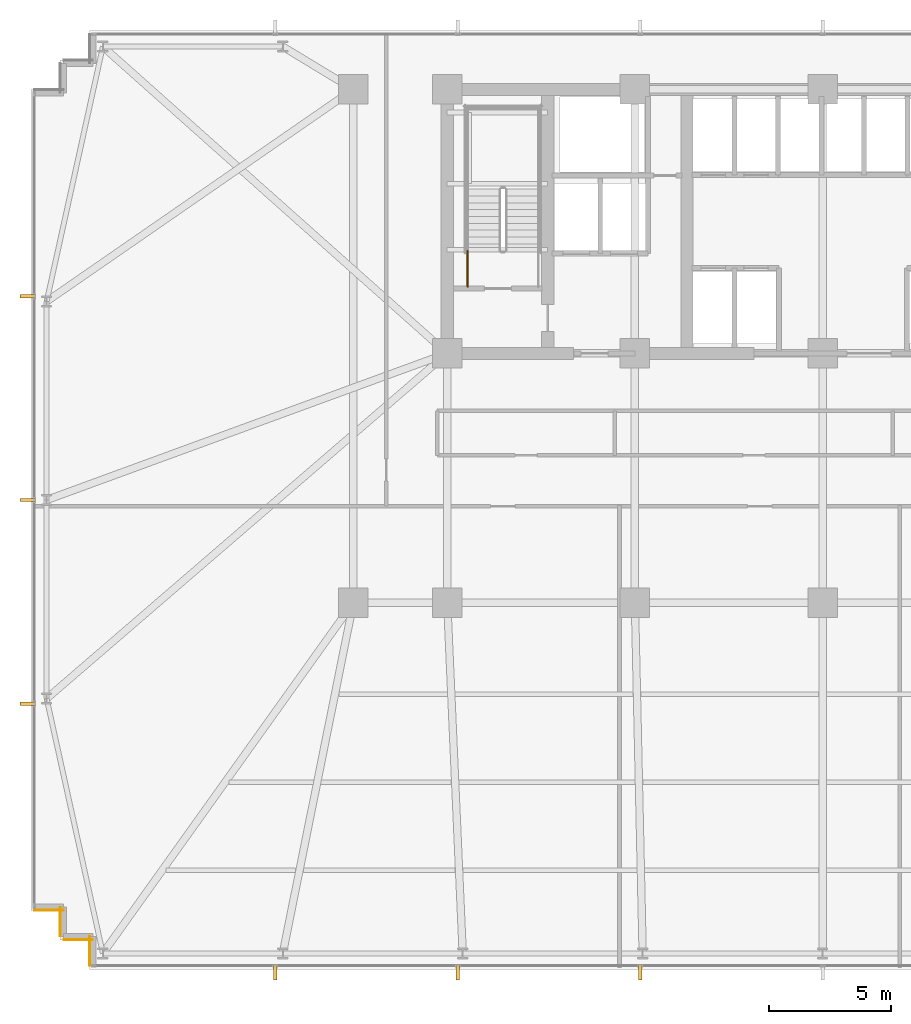
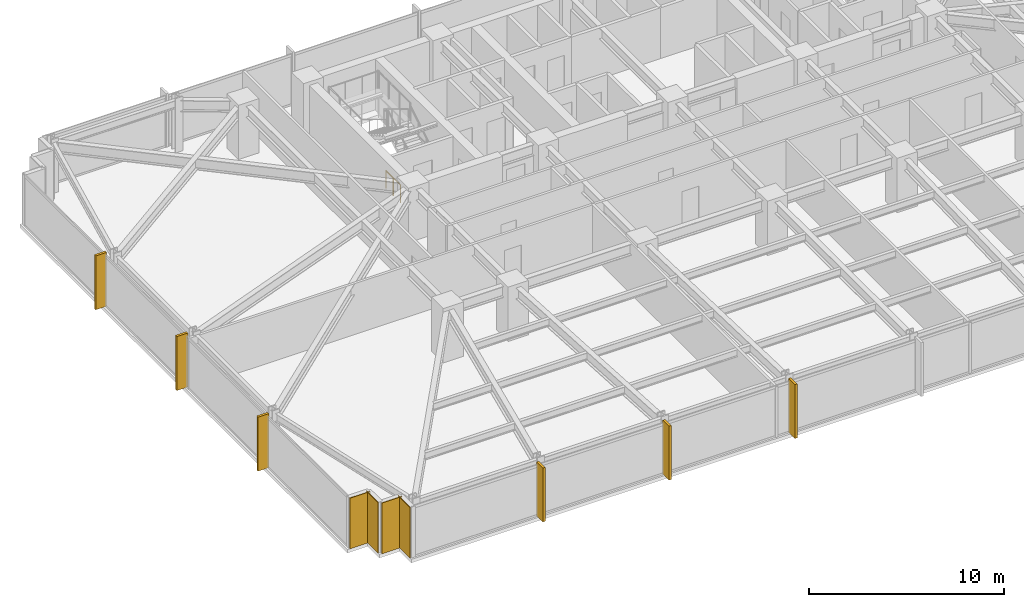
# One storey, part 27 of 32: 6 shading devices, 4 coverings, 1 railing.
"""IFC4 building model written with IfcOpenShell, lengths in metres."""

from ifc_helpers import new_model, si_unit, direction, frame, frame_2d, origin, origin_2d, place, context, subcontext, project, spatial, rectangle, circle, extrude, material, layer, layer_set, type_object, element, save


model = new_model("IFC4")

# Units and contexts
model_context = context("Model", 3, precision=1e-05, world=origin(), true_north=direction((0.0, 1.0)))
body_context = subcontext(model_context, "Body", "Model", "MODEL_VIEW")
ifc_project = project(units=[si_unit("LENGTHUNIT", "METRE"), si_unit("AREAUNIT", "SQUARE_METRE"), si_unit("VOLUMEUNIT", "CUBIC_METRE"), si_unit("PLANEANGLEUNIT", "RADIAN"), si_unit("MASSUNIT", "GRAM", prefix="KILO")], contexts=[model_context])

# Site, building, storey
site_placement = place(None, origin())
site = spatial("IfcSite", under=ifc_project, at=site_placement, CompositionType="ELEMENT")
building_placement = place(site_placement, origin())
building = spatial("IfcBuilding", under=site, at=building_placement, Name="Yelkora Congress Tower", CompositionType="ELEMENT")
storey_placement = place(building_placement, frame((0.0, 0.0, 67.800048828125)))
storey = spatial("IfcBuildingStorey", under=building, at=storey_placement, Name="L17", CompositionType="ELEMENT", Elevation=67.800048828125)

# Coverings
ifc_material_1 = material(Name="Anatolian bush-hammered limestone", Category="masonry")
ifc_layer_1 = layer(ifc_material_1, 0.0400390625)
ifc_layer_set_1 = layer_set([ifc_layer_1], Name="Anatolian bush-hammered limestone")
covering_type = type_object("IfcCoveringType", Name="COV-CLAD-SPANDREL-40", PredefinedType="CLADDING", material=ifc_layer_set_1)
for number, where, z_axis, x_axis, name in (
    (1, (8.405029296875, 10.340087890625, 0.0), (0.0, 0.0, 1.0), (0.0, 1.0, 0.0), "L17 Anatolian Limestone Cladding EW-L17-SR01"),
    (2, (8.5400390625, 11.405029296875, 0.0), (0.0, 0.0, 1.0), (-1.0, 0.0, 0.0), "L17 Anatolian Limestone Cladding EW-L17-SR02"),
    (3, (7.205078125, 11.5400390625, 0.0), (0.0, 0.0, 1.0), (0.0, 1.0, 0.0), "L17 Anatolian Limestone Cladding EW-L17-SR03"),
):
    element("IfcCovering", number, at=place(storey_placement, frame(where, z_axis=z_axis, x_axis=x_axis)), inside=storey, type_object=covering_type, Name=name, PredefinedType="CLADDING", context=body_context, shape_type="SweptSolid", body=[
        extrude(rectangle(XDim=1.199951171875, YDim=0.0400390625, at=frame_2d((0.60009765625, 0.0))), origin(), (0.0, 0.0, 1.0), 3.179931640625),
    ])
covering_placement = place(storey_placement, frame((7.340087890625, 12.60498046875, 0.0), z_axis=(0.0, 0.0, 1.0), x_axis=(-1.0, 0.0, 0.0)))
element("IfcCovering", 4, at=covering_placement, inside=storey, type_object=covering_type, Name="L17 Anatolian Limestone Cladding EW-L17-SR04", PredefinedType="CLADDING", context=body_context, shape_type="SweptSolid", body=[
    extrude(rectangle(XDim=1.2001953125, YDim=0.0400390625, at=frame_2d((0.60009765625, 0.0))), origin(), (0.0, 0.0, 1.0), 3.179931640625),
])

# Railing
ifc_material_2 = material(Name="Painted galvanised steel stair well guard with vertical infill", Category="steel")
ifc_layer_2 = layer(ifc_material_2, 0.06005859375)
ifc_layer_set_2 = layer_set([ifc_layer_2], Name="Painted galvanised steel stair well guard with vertical infill")
railing_type = type_object("IfcRailingType", Name="RAIL-STAIR-GUARD-1120", PredefinedType="GUARDRAIL", material=ifc_layer_set_2)
railing_placement = place(storey_placement, frame((23.8701171875, 38.1201171875, 0.0)))
element("IfcRailing", 5, at=railing_placement, inside=storey, type_object=railing_type, Name="ST-01 L17 Stair Well Guardrail 9", PredefinedType="GUARDRAIL", context=body_context, shape_type="SweptSolid", body=[
    extrude(circle(Radius=0.02392578125, at=origin_2d()), frame((0.0, 0.0, 1.09619140625), z_axis=(0.0, 1.0, 0.0), x_axis=(-1.0, 0.0, 0.0)), (0.0, 0.0, 1.0), 1.47998046875),
    extrude(circle(Radius=0.02099609375, at=origin_2d()), origin(), (0.0, 0.0, 1.0), 1.072021484375),
    extrude(circle(Radius=0.02099609375, at=origin_2d()), frame((0.0, 0.739990234375, 0.0)), (0.0, 0.0, 1.0), 1.072021484375),
    extrude(circle(Radius=0.02099609375, at=origin_2d()), frame((0.0, 1.47998046875, 0.0)), (0.0, 0.0, 1.0), 1.072021484375),
])

# Shading devices
ifc_material_3 = material(Name="Champagne anodised aluminium", Category="aluminium")
ifc_layer_3 = layer(ifc_material_3, 3.39990234375)
ifc_layer_set_3 = layer_set([ifc_layer_3], Name="Champagne anodised aluminium")
shading_device_type = type_object("IfcShadingDeviceType", Name="SHD-FIN-ALU-640", PredefinedType="USERDEFINED", material=ifc_layer_set_3)
for number, where, z_axis, x_axis, name in (
    (6, (5.8798828125, 21.070068359375, -0.030029296875), (0.0, 0.0, 1.0), (0.0, 1.0, 0.0), "L17 Vertical Anodised Solar Fin 5-1"),
    (7, (5.8798828125, 29.39990234375, -0.030029296875), (0.0, 0.0, 1.0), (0.0, 1.0, 0.0), "L17 Vertical Anodised Solar Fin 5-2"),
    (8, (5.8798828125, 37.72998046875, -0.030029296875), (0.0, 0.0, 1.0), (0.0, 1.0, 0.0), "L17 Vertical Anodised Solar Fin 5-3"),
    (9, (30.93505859375, 10.080078125, -0.030029296875), (0.0, 0.0, 1.0), (-1.0, 0.0, 0.0), "L17 Vertical Anodised Solar Fin 20-5"),
    (10, (23.469970703125, 10.080078125, -0.030029296875), (0.0, 0.0, 1.0), (-1.0, 0.0, 0.0), "L17 Vertical Anodised Solar Fin 20-6"),
    (11, (16.0048828125, 10.080078125, -0.030029296875), (0.0, 0.0, 1.0), (-1.0, 0.0, 0.0), "L17 Vertical Anodised Solar Fin 20-7"),
):
    element("IfcShadingDevice", number, at=place(storey_placement, frame(where, z_axis=z_axis, x_axis=x_axis)), inside=storey, type_object=shading_device_type, Name=name, ObjectType="FIN", PredefinedType="USERDEFINED", context=body_context, shape_type="SweptSolid", body=[
        extrude(rectangle(XDim=0.139892578125, YDim=0.639892578125, at=origin_2d()), origin(), (0.0, 0.0, 1.0), 3.3798828125),
    ])

save(model, "model.ifc")
